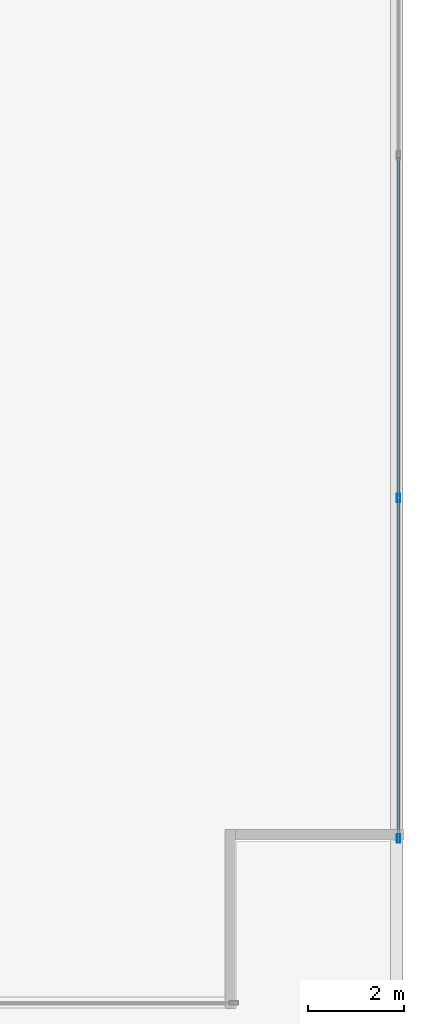
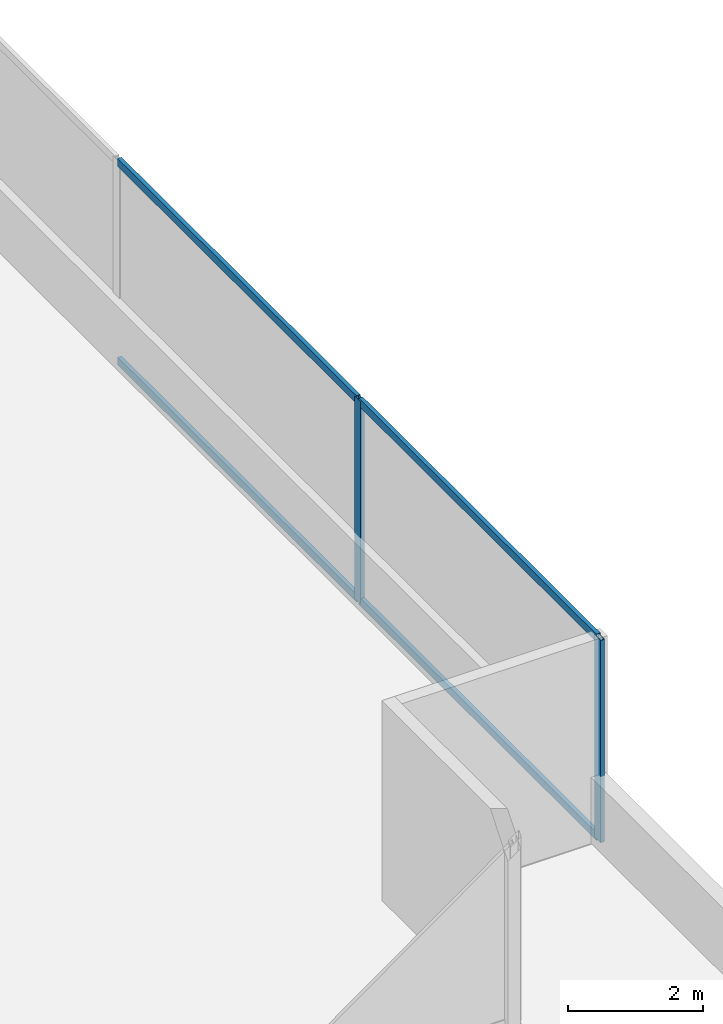
# One storey, part 12 of 30: 6 members, 1 element without a shape of its own.
"""IFC4 building model written with IfcOpenShell, lengths in metres."""

from ifc_helpers import new_model, si_unit, direction, frame, origin, origin_2d, place, context, subcontext, project, spatial, hollow_rectangle, extrude, source, transform, mapped, material, material_profile, profile_set, type_object, type_shapes, element, aggregate, save


model = new_model("IFC4")

# Units and contexts
model_context = context("Model", 3, precision=1e-05, world=origin(), true_north=direction((0.0, 1.0)))
body_context = subcontext(model_context, "Body", "Model", "MODEL_VIEW")
ifc_project = project(units=[si_unit("LENGTHUNIT", "METRE"), si_unit("AREAUNIT", "SQUARE_METRE"), si_unit("VOLUMEUNIT", "CUBIC_METRE"), si_unit("PLANEANGLEUNIT", "RADIAN"), si_unit("MASSUNIT", "GRAM", prefix="KILO")], contexts=[model_context])

# Site, building, storey
site_placement = place(None, origin())
site = spatial("IfcSite", under=ifc_project, at=site_placement, CompositionType="ELEMENT")
building_placement = place(site_placement, origin())
building = spatial("IfcBuilding", under=site, at=building_placement, Name="Krantzveldt Concourse Tower", CompositionType="ELEMENT")
storey_placement = place(building_placement, frame((0.0, 0.0, 25.0)))
storey = spatial("IfcBuildingStorey", under=building, at=storey_placement, Name="L05", CompositionType="ELEMENT", Elevation=25.0)

# Curtain wall, members
ifc_material = material(Name="Anodised aluminium 6063-T6", Category="aluminium")
curtain_wall_type = type_object("IfcCurtainWallType", Name="CW2", PredefinedType="USERDEFINED", material=ifc_material)
curtain_wall_placement = place(storey_placement, origin())
curtain_wall = element("IfcCurtainWall", 1, at=curtain_wall_placement, inside=storey, type_object=curtain_wall_type, Name="CW-L05-F07", ObjectType="UNITISED CURTAIN WALL", PredefinedType="USERDEFINED")
ifc_material_profile_1 = material_profile(ifc_material, hollow_rectangle(XDim=0.070068359375, YDim=0.179931640625, WallThickness=0.0048828125, at=origin_2d()), Name="Anodised aluminium 6063-T6", Category="aluminium")
ifc_profile_set_1 = profile_set([ifc_material_profile_1], Name="Anodised aluminium 6063-T6 - ALU-MULL 180x70x5")
member_type_1 = type_object("IfcMemberType", Name="CW-MUL-180", PredefinedType="MULLION", material=ifc_profile_set_1)
shared_shape_1 = source(origin(), body_context, "Body", "SweptSolid", [
    extrude(hollow_rectangle(XDim=0.070068359375, YDim=0.179931640625, WallThickness=0.0048828125, at=origin_2d()), origin(), (0.0, 0.0, 1.0), 3.669921875),
])
type_shapes(member_type_1, [shared_shape_1])
member_1_placement = place(storey_placement, frame((60.909912109375, 5.235107421875, 0.0), z_axis=(0.0, 0.0, 1.0), x_axis=(-1.0, 0.0, 0.0)))
member_1 = element("IfcMember", 2, at=member_1_placement, type_object=member_type_1, Name="CW-Z12 mullion 1", PredefinedType="MULLION", context=body_context, shape_type="MappedRepresentation", body=[
    mapped(shared_shape_1, transform((0.0, 0.0, 0.0), x_axis=(1.0, 0.0, 0.0), y_axis=(0.0, 1.0, 0.0), z_axis=(0.0, 0.0, 1.0), scale=1.0)),
])
member_2_placement = place(storey_placement, frame((60.909912109375, 12.36669921875, 0.0), z_axis=(0.0, 0.0, 1.0), x_axis=(-1.0, 0.0, 0.0)))
member_2 = element("IfcMember", 3, at=member_2_placement, type_object=member_type_1, Name="CW-Z12 mullion 2", PredefinedType="MULLION", context=body_context, shape_type="MappedRepresentation", body=[
    mapped(shared_shape_1, transform((0.0, 0.0, 0.0), x_axis=(1.0, 0.0, 0.0), y_axis=(0.0, 1.0, 0.0), z_axis=(0.0, 0.0, 1.0), scale=1.0)),
])
ifc_material_profile_2 = material_profile(ifc_material, hollow_rectangle(XDim=0.070068359375, YDim=0.139892578125, WallThickness=0.0048828125, at=origin_2d()), Name="Anodised aluminium 6063-T6", Category="aluminium")
ifc_profile_set_2 = profile_set([ifc_material_profile_2], Name="Anodised aluminium 6063-T6 - ALU-TRAN 140x70x5")
member_type_2 = type_object("IfcMemberType", Name="CW-TRN-150", PredefinedType="USERDEFINED", material=ifc_profile_set_2)
shared_shape_2 = source(origin(), body_context, "Body", "SweptSolid", [
    extrude(hollow_rectangle(XDim=0.070068359375, YDim=0.139892578125, WallThickness=0.0048828125, at=origin_2d()), origin(), (0.0, 0.0, 1.0), 7.0966796875),
])
member_3_placement = place(storey_placement, frame((60.909912109375, 12.401611328125, 0.034912109375), z_axis=(0.0, 1.0, 0.0), x_axis=(-1.0, 0.0, 0.0)))
member_3 = element("IfcMember", 4, at=member_3_placement, type_object=member_type_2, Name="CW-Z12 transom 2.1", ObjectType="TRANSOM", PredefinedType="USERDEFINED", context=body_context, shape_type="MappedRepresentation", body=[
    mapped(shared_shape_2, transform((0.0, 0.0, 0.0), x_axis=(1.0, 0.0, 0.0), y_axis=(0.0, 1.0, 0.0), z_axis=(0.0, 0.0, 1.0), scale=1.0)),
])
member_4_placement = place(storey_placement, frame((60.909912109375, 12.401611328125, 3.635009765625), z_axis=(0.0, 1.0, 0.0), x_axis=(-1.0, 0.0, 0.0)))
member_4 = element("IfcMember", 5, at=member_4_placement, type_object=member_type_2, Name="CW-Z12 transom 2.2", ObjectType="TRANSOM", PredefinedType="USERDEFINED", context=body_context, shape_type="MappedRepresentation", body=[
    mapped(shared_shape_2, transform((0.0, 0.0, 0.0), x_axis=(1.0, 0.0, 0.0), y_axis=(0.0, 1.0, 0.0), z_axis=(0.0, 0.0, 1.0), scale=1.0)),
])
shared_shape_3 = source(origin(), body_context, "Body", "SweptSolid", [
    extrude(hollow_rectangle(XDim=0.070068359375, YDim=0.139892578125, WallThickness=0.0048828125, at=origin_2d()), origin(), (0.0, 0.0, 1.0), 7.061767578125),
])
type_shapes(member_type_2, [shared_shape_2, shared_shape_3])
member_5_placement = place(storey_placement, frame((60.909912109375, 5.27001953125, 0.034912109375), z_axis=(0.0, 1.0, 0.0), x_axis=(-1.0, 0.0, 0.0)))
member_5 = element("IfcMember", 6, at=member_5_placement, type_object=member_type_2, Name="CW-Z12 transom 1.1", ObjectType="TRANSOM", PredefinedType="USERDEFINED", context=body_context, shape_type="MappedRepresentation", body=[
    mapped(shared_shape_3, transform((0.0, 0.0, 0.0), x_axis=(1.0, 0.0, 0.0), y_axis=(0.0, 1.0, 0.0), z_axis=(0.0, 0.0, 1.0), scale=1.0)),
])
member_6_placement = place(storey_placement, frame((60.909912109375, 5.27001953125, 3.635009765625), z_axis=(0.0, 1.0, 0.0), x_axis=(-1.0, 0.0, 0.0)))
member_6 = element("IfcMember", 7, at=member_6_placement, type_object=member_type_2, Name="CW-Z12 transom 1.2", ObjectType="TRANSOM", PredefinedType="USERDEFINED", context=body_context, shape_type="MappedRepresentation", body=[
    mapped(shared_shape_3, transform((0.0, 0.0, 0.0), x_axis=(1.0, 0.0, 0.0), y_axis=(0.0, 1.0, 0.0), z_axis=(0.0, 0.0, 1.0), scale=1.0)),
])
aggregate(curtain_wall, [member_1, member_2, member_5, member_6, member_3, member_4])

save(model, "model.ifc")
